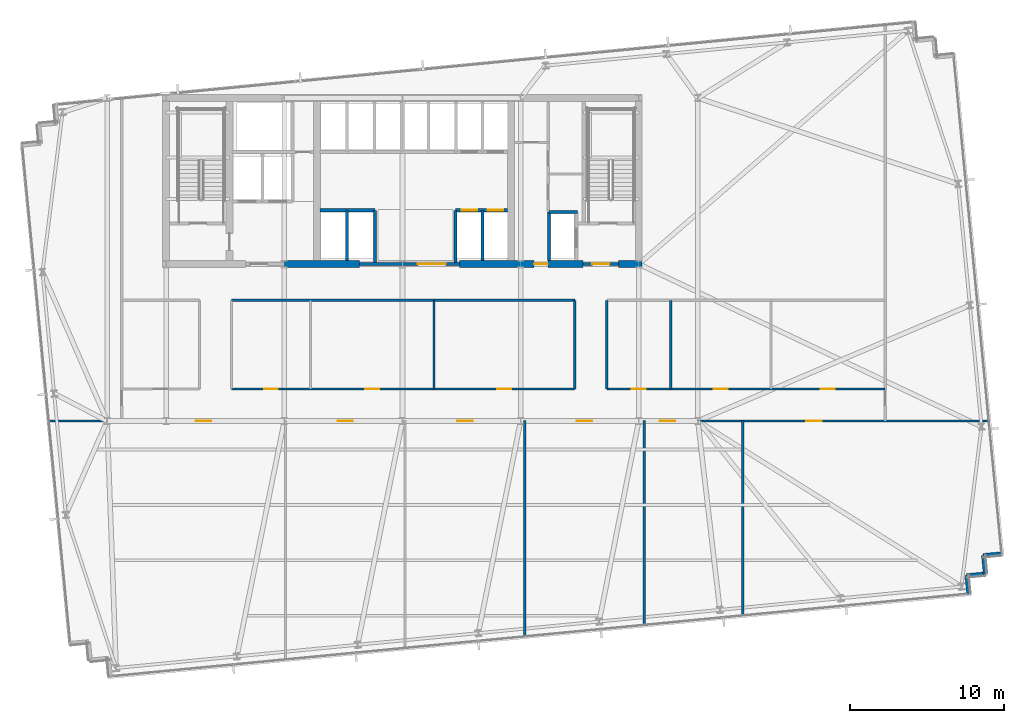
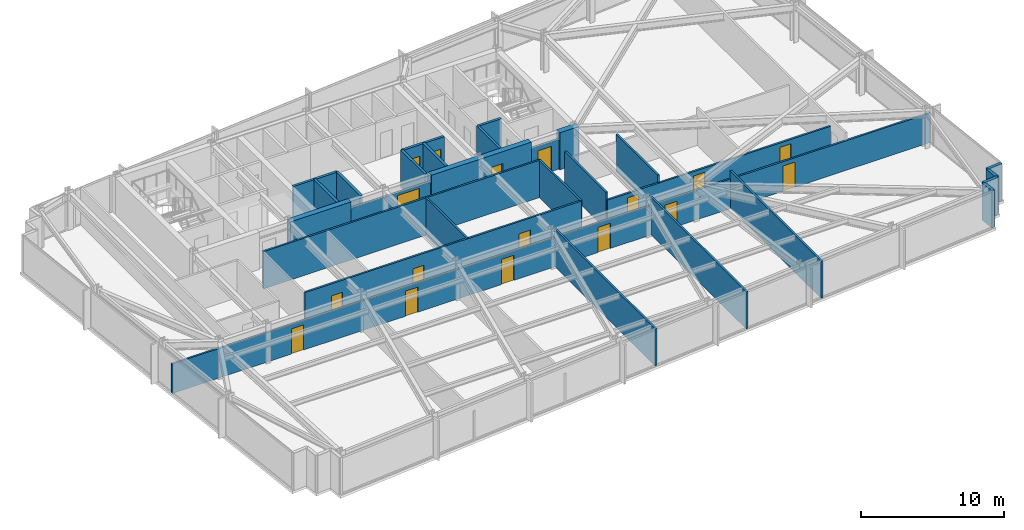
# One storey, part 25 of 32: 28 walls, 17 doors, 17 openings.
"""IFC4 building model written with IfcOpenShell, lengths in metres."""

import ifcopenshell
import ifcopenshell.guid

model = None  # the IFC model being written
_history = None  # IfcOwnerHistory: only IFC2X3 demands one
_inside = {}  # id of a spatial element -> (the spatial element, [elements in it])
_under = {}  # id of a project, library or spatial element -> (it, [spatial elements below it])
_declared = {}  # id of a project -> (the project, [libraries it declares])
_typed = {}  # id of a type object -> (the type object, [elements of that type])
_made_of = {}  # id of a material, layer set ... -> (it, [elements and type objects made of it])


def new_model(schema):
    """Start an empty IFC model of exactly this schema.

    Asked for "IFC4X3", IfcOpenShell would pick the latest addendum, in which some entities
    have other attributes; the version numbers below select the first issue.
    IFC2X3 requires an IfcOwnerHistory on every rooted entity: one is made here for all.
    """
    global model, _history
    if schema == "IFC4X3":
        model = ifcopenshell.file(schema_version=(4, 3, 0, 0))
    else:
        model = ifcopenshell.file(schema=schema)
    _inside.clear()
    _under.clear()
    _declared.clear()
    _typed.clear()
    _made_of.clear()
    _history = None
    if model.schema == "IFC2X3":
        org = make("IfcOrganization", Name="unknown")
        user = make(
            "IfcPersonAndOrganization",
            ThePerson=make("IfcPerson", FamilyName="unknown"),
            TheOrganization=org,
        )
        app = make(
            "IfcApplication",
            ApplicationDeveloper=org,
            Version="unknown",
            ApplicationFullName="unknown",
            ApplicationIdentifier="unknown",
        )
        _history = make(
            "IfcOwnerHistory",
            OwningUser=user,
            OwningApplication=app,
            ChangeAction="ADDED",
            CreationDate=0,
        )
    return model


def make(cls, **values):
    """One entity of the class cls with the attributes given. An attribute that is None is left unset."""
    return model.create_entity(
        cls, **{name: value for name, value in values.items() if value is not None}
    )


def rooted(cls, **values):
    """An entity with a GlobalId (a new one), such as an element, a storey or a relation."""
    return make(cls, GlobalId=ifcopenshell.guid.new(), OwnerHistory=_history, **values)


def si_unit(unit_type, name, prefix=None):
    """IfcSIUnit, for example si_unit("LENGTHUNIT", "METRE", prefix="MILLI")."""
    return make("IfcSIUnit", UnitType=unit_type, Prefix=prefix, Name=name)


def assignment(units):
    """IfcUnitAssignment: the units of a project."""
    return None if units is None else make("IfcUnitAssignment", Units=units)


def point(xyz):
    """IfcCartesianPoint."""
    return None if xyz is None else make("IfcCartesianPoint", Coordinates=xyz)


def direction(xyz):
    """IfcDirection."""
    return None if xyz is None else make("IfcDirection", DirectionRatios=xyz)


def frame(location, z_axis=None, x_axis=None):
    """IfcAxis2Placement3D, a coordinate frame: its origin and axes. An axis left out is left unset."""
    return make(
        "IfcAxis2Placement3D",
        Location=point(location),
        Axis=direction(z_axis),
        RefDirection=direction(x_axis),
    )


def frame_2d(location, x_axis=None):
    """IfcAxis2Placement2D, a coordinate frame in the plane: its origin and x axis."""
    return make(
        "IfcAxis2Placement2D", Location=point(location), RefDirection=direction(x_axis)
    )


def origin():
    """The frame at (0, 0, 0) with its axes left unset."""
    return frame((0.0, 0.0, 0.0))


def place(relative_to, where):
    """IfcLocalPlacement: puts the frame where relative to a parent placement (None: the world)."""
    return make(
        "IfcLocalPlacement", PlacementRelTo=relative_to, RelativePlacement=where
    )


def context(
    kind, dimensions, precision=None, world=None, true_north=None, identifier=None
):
    """IfcGeometricRepresentationContext, for example the 3D "Model" context."""
    return make(
        "IfcGeometricRepresentationContext",
        ContextIdentifier=identifier,
        ContextType=kind,
        CoordinateSpaceDimension=dimensions,
        Precision=precision,
        WorldCoordinateSystem=world,
        TrueNorth=true_north,
    )


def subcontext(parent, identifier, kind, view, scale=None):
    """IfcGeometricRepresentationSubContext, for example "Body" below "Model"."""
    return make(
        "IfcGeometricRepresentationSubContext",
        ContextIdentifier=identifier,
        ContextType=kind,
        ParentContext=parent,
        TargetScale=scale,
        TargetView=view,
    )


def project(units=None, contexts=None):
    """IfcProject with its units and contexts."""
    return rooted(
        "IfcProject",
        Name="project",
        RepresentationContexts=contexts,
        UnitsInContext=assignment(units),
    )


def spatial(cls, under=None, at=None, **own):
    """A site, building, storey or space (cls), placed at a placement, below another one or the project."""
    s = rooted(cls, ObjectPlacement=at, **own)
    if under is not None:
        _under.setdefault(under.id(), (under, []))[1].append(s)
    return s


def profile(cls, at=None, kind="AREA", **sizes):
    """A parametric profile (cls). Its sizes go by their IFC names, for example OverallWidth=200.0."""
    return make(cls, ProfileType=kind, Position=at, **sizes)


def rectangle(**sizes):
    """IfcRectangleProfileDef."""
    return profile("IfcRectangleProfileDef", **sizes)


def extrude(swept, where, along, depth):
    """IfcExtrudedAreaSolid: the profile swept, set in the frame where, extruded along a direction by depth."""
    return make(
        "IfcExtrudedAreaSolid",
        SweptArea=swept,
        Position=where,
        ExtrudedDirection=direction(along),
        Depth=depth,
    )


def shape(context_of_items, identifier, shape_type, items):
    """IfcShapeRepresentation: the items that make up one representation, for example the "Body"."""
    return make(
        "IfcShapeRepresentation",
        ContextOfItems=context_of_items,
        RepresentationIdentifier=identifier,
        RepresentationType=shape_type,
        Items=items,
    )


def material(Name=None, Category=None):
    """IfcMaterial."""
    return make("IfcMaterial", Name=Name, Category=Category)


def layer(
    of_material, thickness, ventilated=None, Name=None, Category=None, Priority=None
):
    """IfcMaterialLayer: one layer of a wall or slab, of a material (None: an air gap)."""
    return make(
        "IfcMaterialLayer",
        Material=of_material,
        LayerThickness=thickness,
        IsVentilated=ventilated,
        Name=Name,
        Category=Category,
        Priority=Priority,
    )


def layer_set(layers, Name=None):
    """IfcMaterialLayerSet."""
    return make("IfcMaterialLayerSet", MaterialLayers=layers, LayerSetName=Name)


def made_of(thing, what):
    """Note that an element or type object is made of a material, layer set ...; save() writes the relation."""
    if what is not None:
        _made_of.setdefault(what.id(), (what, []))[1].append(thing)
    return thing


def type_object(cls, material=None, **own):
    """A type object (cls), such as IfcWallType, which elements share."""
    return made_of(rooted(cls, **own), material)


def element(
    cls,
    number,
    at=None,
    inside=None,
    cuts=None,
    type_object=None,
    material=None,
    context=None,
    identifier="Body",
    shape_type=None,
    held_by="IfcProductDefinitionShape",
    body=None,
    shapes=None,
    **own,
):
    """One element of the class cls, such as IfcWall. Its Tag is "e" and its number.

    at: its placement. inside: the storey or other place that contains it. cuts: it is an
    opening in that element (IfcRelVoidsElement). A single representation is given by context,
    identifier, shape_type and body (its items); several are given by shapes. held_by: the class
    of the entity that holds the representations. save() writes the other relations.
    """
    e = rooted(cls, Tag="e%d" % number, ObjectPlacement=at, **own)
    if body is not None:
        shapes = [shape(context, identifier, shape_type, body)]
    if shapes is not None:
        e.Representation = make(held_by, Representations=shapes)
    if inside is not None:
        _inside.setdefault(inside.id(), (inside, []))[1].append(e)
    if cuts is not None:
        rooted(
            "IfcRelVoidsElement", RelatingBuildingElement=cuts, RelatedOpeningElement=e
        )
    if type_object is not None:
        _typed.setdefault(type_object.id(), (type_object, []))[1].append(e)
    return made_of(e, material)


def fill(opening, filler):
    """IfcRelFillsElement: the door or window that sits in an opening."""
    return rooted(
        "IfcRelFillsElement",
        RelatingOpeningElement=opening,
        RelatedBuildingElement=filler,
    )


def aggregate(whole, parts):
    """IfcRelAggregates: a whole, such as a stair, and the parts it consists of."""
    return rooted("IfcRelAggregates", RelatingObject=whole, RelatedObjects=parts)


def save(model, path):
    """Write the relations noted so far, then the file.

    IfcRelAggregates (storeys below a building ...), IfcRelContainedInSpatialStructure (elements
    in a storey), IfcRelDefinesByType, IfcRelAssociatesMaterial and IfcRelDeclares: one each for
    every whole, place, type object, material and project.
    """
    for whole, parts in _under.values():
        aggregate(whole, parts)
    for where, things in _inside.values():
        rooted(
            "IfcRelContainedInSpatialStructure",
            RelatedElements=things,
            RelatingStructure=where,
        )
    for kind, things in _typed.values():
        rooted("IfcRelDefinesByType", RelatedObjects=things, RelatingType=kind)
    for what, things in _made_of.values():
        rooted("IfcRelAssociatesMaterial", RelatedObjects=things, RelatingMaterial=what)
    for by, libraries in _declared.values():
        rooted("IfcRelDeclares", RelatingContext=by, RelatedDefinitions=libraries)
    model.write(path)


model = new_model("IFC4")

# Units and contexts
model_context = context("Model", 3, precision=1e-05, world=origin(), true_north=direction((0.0, 1.0)))
body_context = subcontext(model_context, "Body", "Model", "MODEL_VIEW")
ifc_project = project(units=[si_unit("LENGTHUNIT", "METRE"), si_unit("AREAUNIT", "SQUARE_METRE"), si_unit("VOLUMEUNIT", "CUBIC_METRE"), si_unit("PLANEANGLEUNIT", "RADIAN"), si_unit("MASSUNIT", "GRAM", prefix="KILO")], contexts=[model_context])

# Site, building, storey
site_placement = place(None, origin())
site = spatial("IfcSite", under=ifc_project, at=site_placement, CompositionType="ELEMENT")
building_placement = place(site_placement, origin())
building = spatial("IfcBuilding", under=site, at=building_placement, Name="Yelkora Congress Tower", CompositionType="ELEMENT")
storey_placement = place(building_placement, frame((0.0, 0.0, 93.10009765625)))
storey = spatial("IfcBuildingStorey", under=building, at=storey_placement, Name="L24", CompositionType="ELEMENT", Elevation=93.10009765625)

# Wall
ifc_material_1 = material(Name="Concrete C60/75", Category="concrete")
ifc_layer_1 = layer(ifc_material_1, 0.449951171875)
ifc_layer_set_1 = layer_set([ifc_layer_1], Name="Concrete C60/75")
wall_type_1 = type_object("IfcWallType", Name="WALL-CORE-INT-450", PredefinedType="SHEAR", material=ifc_layer_set_1)
wall_1_placement = place(storey_placement, frame((30.719970703125, 35.39990234375, 0.0), z_axis=(0.0, 0.0, 1.0), x_axis=(1.0, 0.0, 0.0)))
element("IfcWall", 1, at=wall_1_placement, inside=storey, type_object=wall_type_1, Name="L24 Rear Core South-Center Shear Pier", PredefinedType="SHEAR", context=body_context, shape_type="SweptSolid", body=[
    extrude(rectangle(XDim=4.880126953125, YDim=0.449951171875, at=frame_2d((2.43994140625, 0.0))), origin(), (0.0, 0.0, 1.0), 3.179931640625),
])

# Wall, opening, door
wall_2_placement = place(storey_placement, frame((42.10009765625, 35.39990234375, 0.0), z_axis=(0.0, 0.0, 1.0), x_axis=(1.0, 0.0, 0.0)))
wall_2 = element("IfcWall", 2, at=wall_2_placement, inside=storey, type_object=wall_type_1, Name="L24 Rear Core South-East Shear Wall A", PredefinedType="SHEAR", context=body_context, shape_type="SweptSolid", body=[
    extrude(rectangle(XDim=8.0498046875, YDim=0.449951171875, at=frame_2d((4.02490234375, 0.0))), origin(), (0.0, 0.0, 1.0), 3.179931640625),
])
opening_1_placement = place(wall_2_placement, frame((4.85009765625, 0.0, 0.0)))
opening_1 = element("IfcOpeningElement", 3, at=opening_1_placement, cuts=wall_2, Name="Opening DR-090F6", PredefinedType="OPENING", context=body_context, shape_type="SweptSolid", body=[
    extrude(rectangle(XDim=0.89990234375, YDim=2.14990234375, at=frame_2d((0.449951171875, 1.074951171875))), frame((0.0, 0.23486328125, 0.0), z_axis=(0.0, -1.0, 0.0), x_axis=(1.0, 0.0, 0.0)), (0.0, 0.0, 1.0), 0.469970703125),
])
ifc_material_2 = material(Name="Painted steel riser fire door leaf", Category="steel")
door_type_1 = type_object("IfcDoorType", Name="DOOR-FD60-900", OperationType="NOTDEFINED", PredefinedType="DOOR", material=ifc_material_2)
door_1_placement = place(opening_1_placement, origin())
door_1 = element("IfcDoor", 4, at=door_1_placement, inside=storey, type_object=door_type_1, Name="L24 Core Washroom Lobby Door", OperationType="SINGLE_SWING_RIGHT", OverallHeight=2.14990234375, OverallWidth=0.89990234375, PredefinedType="DOOR", context=body_context, shape_type="SweptSolid", body=[
    extrude(rectangle(XDim=0.89990234375, YDim=2.14990234375, at=frame_2d((0.449951171875, 1.074951171875))), frame((0.0, 0.02490234375, 0.0), z_axis=(0.0, -1.0, 0.0), x_axis=(1.0, 0.0, 0.0)), (0.0, 0.0, 1.0), 0.050048828125),
])
fill(opening_1, door_1)

# Walls
wall_3_placement = place(storey_placement, frame((52.449951171875, 35.39990234375, 0.0), z_axis=(0.0, 0.0, 1.0), x_axis=(1.0, 0.0, 0.0)))
element("IfcWall", 5, at=wall_3_placement, inside=storey, type_object=wall_type_1, Name="L24 Rear Core South-East Shear Wall B", PredefinedType="SHEAR", context=body_context, shape_type="SweptSolid", body=[
    extrude(rectangle(XDim=1.53515625, YDim=0.449951171875, at=frame_2d((0.767578125, 0.0))), origin(), (0.0, 0.0, 1.0), 3.179931640625),
])
ifc_material_3 = material(Name="Concrete C40/50", Category="concrete")
ifc_layer_2 = layer(ifc_material_3, 0.239990234375)
ifc_layer_set_2 = layer_set([ifc_layer_2], Name="Concrete C40/50")
wall_type_2 = type_object("IfcWallType", Name="WALL-EXT-LIMESTONE-240", PredefinedType="SOLIDWALL", material=ifc_layer_set_2)
wall_4_placement = place(storey_placement, frame((77.34765625, 16.585693359375, 0.0), z_axis=(0.0, 0.0, 1.0), x_axis=(-0.995397091755, -0.095836473879, 0.0)))
element("IfcWall", 6, at=wall_4_placement, inside=storey, type_object=wall_type_2, Name="L24 Serrated Corner Limestone Pier 16", PredefinedType="SOLIDWALL", context=body_context, shape_type="SweptSolid", body=[
    extrude(rectangle(XDim=1.199951171875, YDim=0.239990234375, at=frame_2d((0.60009765625, 0.0))), origin(), (0.0, 0.0, 1.0), 3.179931640625),
])
for number, where, z_axis, x_axis, name in (
    (7, (76.1533203125, 16.470703125, 0.0), (0.0, 0.0, 1.0), (0.095817067274, -0.995398960025, 0.0), "L24 Serrated Corner Limestone Pier 17"),
    (8, (76.268310546875, 15.276123046875, 0.0), (0.0, 0.0, 1.0), (-0.995398960025, -0.095817067274, 0.0), "L24 Serrated Corner Limestone Pier 18"),
):
    element("IfcWall", number, at=place(storey_placement, frame(where, z_axis=z_axis, x_axis=x_axis)), inside=storey, type_object=wall_type_2, Name=name, PredefinedType="SOLIDWALL", context=body_context, shape_type="SweptSolid", body=[
        extrude(rectangle(XDim=1.2001953125, YDim=0.239990234375, at=frame_2d((0.60009765625, 0.0))), origin(), (0.0, 0.0, 1.0), 3.179931640625),
    ])
wall_5_placement = place(storey_placement, frame((75.07373046875, 15.1611328125, 0.0), z_axis=(0.0, 0.0, 1.0), x_axis=(0.095836473879, -0.995397091755, 0.0)))
element("IfcWall", 9, at=wall_5_placement, inside=storey, type_object=wall_type_2, Name="L24 Serrated Corner Limestone Pier 19", PredefinedType="SOLIDWALL", context=body_context, shape_type="SweptSolid", body=[
    extrude(rectangle(XDim=1.199951171875, YDim=0.239990234375, at=frame_2d((0.60009765625, 0.0))), origin(), (0.0, 0.0, 1.0), 3.179931640625),
])
ifc_material_4 = material(Name="Acoustic metal-stud gypsum partition", Category="gypsum")
ifc_layer_3 = layer(ifc_material_4, 0.14990234375)
ifc_layer_set_3 = layer_set([ifc_layer_3], Name="Acoustic metal-stud gypsum partition")
wall_type_3 = type_object("IfcWallType", Name="WALL-INT-150-NR", PredefinedType="PARTITIONING", material=ifc_layer_set_3)
wall_6_placement = place(storey_placement, frame((46.340087890625, 11.128662109375, 0.0), z_axis=(0.0, 0.0, 1.0), x_axis=(0.0, 1.0, 0.0)))
element("IfcWall", 10, at=wall_6_placement, inside=storey, type_object=wall_type_3, Name="L24 Partition Wall 33", PredefinedType="PARTITIONING", context=body_context, shape_type="SweptSolid", body=[
    extrude(rectangle(XDim=14.09130859375, YDim=0.14990234375, at=frame_2d((7.045654296875, 0.0))), origin(), (0.0, 0.0, 1.0), 3.179931640625),
])
wall_7_placement = place(storey_placement, frame((54.112060546875, 11.876953125, 0.0), z_axis=(0.0, 0.0, 1.0), x_axis=(0.0, 1.0, 0.0)))
element("IfcWall", 11, at=wall_7_placement, inside=storey, type_object=wall_type_3, Name="L24 Partition Wall 34", PredefinedType="PARTITIONING", context=body_context, shape_type="SweptSolid", body=[
    extrude(rectangle(XDim=13.343017578125, YDim=0.14990234375, at=frame_2d((6.67138671875, 0.0))), origin(), (0.0, 0.0, 1.0), 3.179931640625),
])
wall_8_placement = place(storey_placement, frame((60.512939453125, 12.493408203125, 0.0), z_axis=(0.0, 0.0, 1.0), x_axis=(0.0, 1.0, 0.0)))
element("IfcWall", 12, at=wall_8_placement, inside=storey, type_object=wall_type_3, Name="L24 Partition Wall 35", PredefinedType="PARTITIONING", context=body_context, shape_type="SweptSolid", body=[
    extrude(rectangle(XDim=12.7265625, YDim=0.14990234375, at=frame_2d((6.36328125, 0.0))), origin(), (0.0, 0.0, 1.0), 3.179931640625),
])

# Wall, openings, doors
wall_9_placement = place(storey_placement, frame((15.356689453125, 25.199951171875, 0.0), z_axis=(0.0, 0.0, 1.0), x_axis=(1.0, 0.0, 0.0)))
wall_9 = element("IfcWall", 13, at=wall_9_placement, inside=storey, type_object=wall_type_3, Name="L24 South Spine Wall", PredefinedType="PARTITIONING", context=body_context, shape_type="SweptSolid", body=[
    extrude(rectangle(XDim=61.221923828125, YDim=0.14990234375, at=frame_2d((30.61083984375, 0.0))), origin(), (0.0, 0.0, 1.0), 2.52490234375),
])
opening_2_placement = place(wall_9_placement, frame((9.618896484375, 0.0, 0.0)))
opening_2 = element("IfcOpeningElement", 14, at=opening_2_placement, cuts=wall_9, Name="Opening DR-100N", PredefinedType="OPENING", context=body_context, shape_type="SweptSolid", body=[
    extrude(rectangle(XDim=1.0, YDim=2.14990234375, at=frame_2d((0.5, 1.074951171875))), frame((0.0, 0.0849609375, 0.0), z_axis=(0.0, -1.0, 0.0), x_axis=(1.0, 0.0, 0.0)), (0.0, 0.0, 1.0), 0.169921875),
])
opening_3_placement = place(wall_9_placement, frame((18.82373046875, 0.0, 0.0)))
opening_3 = element("IfcOpeningElement", 15, at=opening_3_placement, cuts=wall_9, Name="Opening DR-100N", PredefinedType="OPENING", context=body_context, shape_type="SweptSolid", body=[
    extrude(rectangle(XDim=1.0, YDim=2.14990234375, at=frame_2d((0.5, 1.074951171875))), frame((0.0, 0.0849609375, 0.0), z_axis=(0.0, -1.0, 0.0), x_axis=(1.0, 0.0, 0.0)), (0.0, 0.0, 1.0), 0.169921875),
])
opening_4_placement = place(wall_9_placement, frame((26.5966796875, 0.0, 0.0)))
opening_4 = element("IfcOpeningElement", 16, at=opening_4_placement, cuts=wall_9, Name="Opening DR-100N", PredefinedType="OPENING", context=body_context, shape_type="SweptSolid", body=[
    extrude(rectangle(XDim=1.0, YDim=2.14990234375, at=frame_2d((0.5, 1.074951171875))), frame((0.0, 0.0849609375, 0.0), z_axis=(0.0, -1.0, 0.0), x_axis=(1.0, 0.0, 0.0)), (0.0, 0.0, 1.0), 0.169921875),
])
opening_5_placement = place(wall_9_placement, frame((34.369384765625, 0.0, 0.0)))
opening_5 = element("IfcOpeningElement", 17, at=opening_5_placement, cuts=wall_9, Name="Opening DR-100N", PredefinedType="OPENING", context=body_context, shape_type="SweptSolid", body=[
    extrude(rectangle(XDim=1.0, YDim=2.14990234375, at=frame_2d((0.5, 1.074951171875))), frame((0.0, 0.0849609375, 0.0), z_axis=(0.0, -1.0, 0.0), x_axis=(1.0, 0.0, 0.0)), (0.0, 0.0, 1.0), 0.169921875),
])
opening_6_placement = place(wall_9_placement, frame((39.767822265625, 0.0, 0.0)))
opening_6 = element("IfcOpeningElement", 18, at=opening_6_placement, cuts=wall_9, Name="Opening DR-100N", PredefinedType="OPENING", context=body_context, shape_type="SweptSolid", body=[
    extrude(rectangle(XDim=1.0, YDim=2.14990234375, at=frame_2d((0.5, 1.074951171875))), frame((0.0, 0.0849609375, 0.0), z_axis=(0.0, -1.0, 0.0), x_axis=(1.0, 0.0, 0.0)), (0.0, 0.0, 1.0), 0.169921875),
])
opening_7_placement = place(wall_9_placement, frame((49.289306640625, 0.0, 0.0)))
opening_7 = element("IfcOpeningElement", 19, at=opening_7_placement, cuts=wall_9, Name="Opening DR-100N", PredefinedType="OPENING", context=body_context, shape_type="SweptSolid", body=[
    extrude(rectangle(XDim=1.0, YDim=2.14990234375, at=frame_2d((0.5, 1.074951171875))), frame((0.0, 0.0849609375, 0.0), z_axis=(0.0, -1.0, 0.0), x_axis=(1.0, 0.0, 0.0)), (0.0, 0.0, 1.0), 0.169921875),
])
ifc_material_5 = material(Name="Solid-core Anatolian oak veneer door", Category="wood")
door_type_2 = type_object("IfcDoorType", Name="DOOR-INT-1000", OperationType="NOTDEFINED", PredefinedType="DOOR", material=ifc_material_5)
door_2_placement = place(opening_2_placement, origin())
door_2 = element("IfcDoor", 20, at=door_2_placement, inside=storey, type_object=door_type_2, Name="L24 Open-Plan Office Door", OperationType="SINGLE_SWING_LEFT", OverallHeight=2.14990234375, OverallWidth=1.0, PredefinedType="DOOR", context=body_context, shape_type="SweptSolid", body=[
    extrude(rectangle(XDim=1.0, YDim=2.14990234375, at=frame_2d((0.5, 1.074951171875))), frame((0.0, 0.02490234375, 0.0), z_axis=(0.0, -1.0, 0.0), x_axis=(1.0, 0.0, 0.0)), (0.0, 0.0, 1.0), 0.050048828125),
])
fill(opening_2, door_2)
door_3_placement = place(opening_3_placement, origin())
door_3 = element("IfcDoor", 21, at=door_3_placement, inside=storey, type_object=door_type_2, Name="L24 Executive Office Door", OperationType="SINGLE_SWING_RIGHT", OverallHeight=2.14990234375, OverallWidth=1.0, PredefinedType="DOOR", context=body_context, shape_type="SweptSolid", body=[
    extrude(rectangle(XDim=1.0, YDim=2.14990234375, at=frame_2d((0.5, 1.074951171875))), frame((0.0, 0.02490234375, 0.0), z_axis=(0.0, -1.0, 0.0), x_axis=(1.0, 0.0, 0.0)), (0.0, 0.0, 1.0), 0.050048828125),
])
fill(opening_3, door_3)
door_4_placement = place(opening_4_placement, origin())
door_4 = element("IfcDoor", 22, at=door_4_placement, inside=storey, type_object=door_type_2, Name="L24 Open-Plan Office Door", OperationType="SINGLE_SWING_LEFT", OverallHeight=2.14990234375, OverallWidth=1.0, PredefinedType="DOOR", context=body_context, shape_type="SweptSolid", body=[
    extrude(rectangle(XDim=1.0, YDim=2.14990234375, at=frame_2d((0.5, 1.074951171875))), frame((0.0, 0.02490234375, 0.0), z_axis=(0.0, -1.0, 0.0), x_axis=(1.0, 0.0, 0.0)), (0.0, 0.0, 1.0), 0.050048828125),
])
fill(opening_4, door_4)
door_5_placement = place(opening_5_placement, origin())
door_5 = element("IfcDoor", 23, at=door_5_placement, inside=storey, type_object=door_type_2, Name="L24 Executive Office Door", OperationType="SINGLE_SWING_RIGHT", OverallHeight=2.14990234375, OverallWidth=1.0, PredefinedType="DOOR", context=body_context, shape_type="SweptSolid", body=[
    extrude(rectangle(XDim=1.0, YDim=2.14990234375, at=frame_2d((0.5, 1.074951171875))), frame((0.0, 0.02490234375, 0.0), z_axis=(0.0, -1.0, 0.0), x_axis=(1.0, 0.0, 0.0)), (0.0, 0.0, 1.0), 0.050048828125),
])
fill(opening_5, door_5)
door_6_placement = place(opening_6_placement, origin())
door_6 = element("IfcDoor", 24, at=door_6_placement, inside=storey, type_object=door_type_2, Name="L24 Conference Boardroom Door", OperationType="SINGLE_SWING_LEFT", OverallHeight=2.14990234375, OverallWidth=1.0, PredefinedType="DOOR", context=body_context, shape_type="SweptSolid", body=[
    extrude(rectangle(XDim=1.0, YDim=2.14990234375, at=frame_2d((0.5, 1.074951171875))), frame((0.0, 0.02490234375, 0.0), z_axis=(0.0, -1.0, 0.0), x_axis=(1.0, 0.0, 0.0)), (0.0, 0.0, 1.0), 0.050048828125),
])
fill(opening_6, door_6)
door_7_placement = place(opening_7_placement, origin())
door_7 = element("IfcDoor", 25, at=door_7_placement, inside=storey, type_object=door_type_2, Name="L24 Breakout Living Lounge Door", OperationType="SINGLE_SWING_RIGHT", OverallHeight=2.14990234375, OverallWidth=1.0, PredefinedType="DOOR", context=body_context, shape_type="SweptSolid", body=[
    extrude(rectangle(XDim=1.0, YDim=2.14990234375, at=frame_2d((0.5, 1.074951171875))), frame((0.0, 0.02490234375, 0.0), z_axis=(0.0, -1.0, 0.0), x_axis=(1.0, 0.0, 0.0)), (0.0, 0.0, 1.0), 0.050048828125),
])
fill(opening_7, door_7)

# Walls
for number, where, z_axis, x_axis, name in (
    (26, (49.60009765625, 27.280029296875, 0.0), (0.0, 0.0, 1.0), (0.0, 1.0, 0.0), "L24 Partition Wall 41"),
    (27, (51.679931640625, 27.280029296875, 0.0), (0.0, 0.0, 1.0), (0.0, 1.0, 0.0), "L24 Partition Wall 42"),
):
    element("IfcWall", number, at=place(storey_placement, frame(where, z_axis=z_axis, x_axis=x_axis)), inside=storey, type_object=wall_type_3, Name=name, PredefinedType="PARTITIONING", context=body_context, shape_type="SweptSolid", body=[
        extrude(rectangle(XDim=5.77001953125, YDim=0.14990234375, at=frame_2d((2.885009765625, 0.0))), origin(), (0.0, 0.0, 1.0), 3.179931640625),
    ])
wall_10_placement = place(storey_placement, frame((27.280029296875, 33.050048828125, 0.0), z_axis=(0.0, 0.0, 1.0), x_axis=(1.0, 0.0, 0.0)))
element("IfcWall", 28, at=wall_10_placement, inside=storey, type_object=wall_type_3, Name="L24 Partition Wall 44", PredefinedType="PARTITIONING", context=body_context, shape_type="SweptSolid", body=[
    extrude(rectangle(XDim=22.320068359375, YDim=0.14990234375, at=frame_2d((11.16015625, 0.0))), origin(), (0.0, 0.0, 1.0), 3.179931640625),
])
wall_11_placement = place(storey_placement, frame((40.447021484375, 27.280029296875, 0.0), z_axis=(0.0, 0.0, 1.0), x_axis=(0.0, 1.0, 0.0)))
element("IfcWall", 29, at=wall_11_placement, inside=storey, type_object=wall_type_3, Name="L24 Partition Wall 48", PredefinedType="PARTITIONING", context=body_context, shape_type="SweptSolid", body=[
    extrude(rectangle(XDim=5.77001953125, YDim=0.14990234375, at=frame_2d((2.885009765625, 0.0))), origin(), (0.0, 0.0, 1.0), 3.179931640625),
])

# Wall, openings, doors
wall_12_placement = place(storey_placement, frame((27.2900390625, 27.280029296875, 0.0), z_axis=(0.0, 0.0, 1.0), x_axis=(1.0, 0.0, 0.0)))
wall_12 = element("IfcWall", 30, at=wall_12_placement, inside=storey, type_object=wall_type_3, Name="L24 Partition Wall 49", PredefinedType="PARTITIONING", context=body_context, shape_type="SweptSolid", body=[
    extrude(rectangle(XDim=22.300048828125, YDim=0.14990234375, at=frame_2d((11.14990234375, 0.0))), origin(), (0.0, 0.0, 1.0), 3.179931640625),
])
opening_8_placement = place(wall_12_placement, frame((2.114501953125, 0.0, 0.0)))
opening_8 = element("IfcOpeningElement", 31, at=opening_8_placement, cuts=wall_12, Name="Opening DR-090N", PredefinedType="OPENING", context=body_context, shape_type="SweptSolid", body=[
    extrude(rectangle(XDim=0.89990234375, YDim=2.14990234375, at=frame_2d((0.449951171875, 1.074951171875))), frame((0.0, 0.0849609375, 0.0), z_axis=(0.0, -1.0, 0.0), x_axis=(1.0, 0.0, 0.0)), (0.0, 0.0, 1.0), 0.169921875),
])
opening_9_placement = place(wall_12_placement, frame((8.693115234375, 0.0, 0.0)))
opening_9 = element("IfcOpeningElement", 32, at=opening_9_placement, cuts=wall_12, Name="Opening DR-090N", PredefinedType="OPENING", context=body_context, shape_type="SweptSolid", body=[
    extrude(rectangle(XDim=0.89990234375, YDim=2.14990234375, at=frame_2d((0.449951171875, 1.074951171875))), frame((0.0, 0.0849609375, 0.0), z_axis=(0.0, -1.0, 0.0), x_axis=(1.0, 0.0, 0.0)), (0.0, 0.0, 1.0), 0.169921875),
])
opening_10_placement = place(wall_12_placement, frame((17.278564453125, 0.0, 0.0)))
opening_10 = element("IfcOpeningElement", 33, at=opening_10_placement, cuts=wall_12, Name="Opening DR-090N", PredefinedType="OPENING", context=body_context, shape_type="SweptSolid", body=[
    extrude(rectangle(XDim=0.89990234375, YDim=2.14990234375, at=frame_2d((0.449951171875, 1.074951171875))), frame((0.0, 0.0849609375, 0.0), z_axis=(0.0, -1.0, 0.0), x_axis=(1.0, 0.0, 0.0)), (0.0, 0.0, 1.0), 0.169921875),
])
ifc_material_6 = material(Name="Moisture-resistant laminate door leaf", Category="wood")
door_type_3 = type_object("IfcDoorType", Name="DOOR-INT-900", OperationType="NOTDEFINED", PredefinedType="DOOR", material=ifc_material_6)
door_8_placement = place(opening_8_placement, origin())
door_8 = element("IfcDoor", 34, at=door_8_placement, inside=storey, type_object=door_type_3, Name="L24 Huddle Seminar Room Door", OperationType="SINGLE_SWING_RIGHT", OverallHeight=2.14990234375, OverallWidth=0.89990234375, PredefinedType="DOOR", context=body_context, shape_type="SweptSolid", body=[
    extrude(rectangle(XDim=0.89990234375, YDim=2.14990234375, at=frame_2d((0.449951171875, 1.074951171875))), frame((0.0, 0.02490234375, 0.0), z_axis=(0.0, -1.0, 0.0), x_axis=(1.0, 0.0, 0.0)), (0.0, 0.0, 1.0), 0.050048828125),
])
fill(opening_8, door_8)
door_9_placement = place(opening_9_placement, origin())
door_9 = element("IfcDoor", 35, at=door_9_placement, inside=storey, type_object=door_type_3, Name="L24 Breakout Training Room Door", OperationType="SINGLE_SWING_LEFT", OverallHeight=2.14990234375, OverallWidth=0.89990234375, PredefinedType="DOOR", context=body_context, shape_type="SweptSolid", body=[
    extrude(rectangle(XDim=0.89990234375, YDim=2.14990234375, at=frame_2d((0.449951171875, 1.074951171875))), frame((0.0, 0.02490234375, 0.0), z_axis=(0.0, -1.0, 0.0), x_axis=(1.0, 0.0, 0.0)), (0.0, 0.0, 1.0), 0.050048828125),
])
fill(opening_9, door_9)
door_10_placement = place(opening_10_placement, origin())
door_10 = element("IfcDoor", 36, at=door_10_placement, inside=storey, type_object=door_type_3, Name="L24 Executive Boardroom Door", OperationType="SINGLE_SWING_RIGHT", OverallHeight=2.14990234375, OverallWidth=0.89990234375, PredefinedType="DOOR", context=body_context, shape_type="SweptSolid", body=[
    extrude(rectangle(XDim=0.89990234375, YDim=2.14990234375, at=frame_2d((0.449951171875, 1.074951171875))), frame((0.0, 0.02490234375, 0.0), z_axis=(0.0, -1.0, 0.0), x_axis=(1.0, 0.0, 0.0)), (0.0, 0.0, 1.0), 0.050048828125),
])
fill(opening_10, door_10)

# Wall
wall_13_placement = place(storey_placement, frame((55.845947265625, 27.280029296875, 0.0), z_axis=(0.0, 0.0, 1.0), x_axis=(0.0, 1.0, 0.0)))
element("IfcWall", 37, at=wall_13_placement, inside=storey, type_object=wall_type_3, Name="L24 Partition Wall 50", PredefinedType="PARTITIONING", context=body_context, shape_type="SweptSolid", body=[
    extrude(rectangle(XDim=5.77001953125, YDim=0.14990234375, at=frame_2d((2.885009765625, 0.0))), origin(), (0.0, 0.0, 1.0), 3.179931640625),
])

# Wall, openings, doors
wall_14_placement = place(storey_placement, frame((51.68994140625, 27.280029296875, 0.0), z_axis=(0.0, 0.0, 1.0), x_axis=(1.0, 0.0, 0.0)))
wall_14 = element("IfcWall", 38, at=wall_14_placement, inside=storey, type_object=wall_type_3, Name="L24 Partition Wall 52", PredefinedType="PARTITIONING", context=body_context, shape_type="SweptSolid", body=[
    extrude(rectangle(XDim=18.069091796875, YDim=0.14990234375, at=frame_2d((9.03466796875, 0.0))), origin(), (0.0, 0.0, 1.0), 2.52490234375),
])
opening_11_placement = place(wall_14_placement, frame((1.6279296875, 0.0, 0.0)))
opening_11 = element("IfcOpeningElement", 39, at=opening_11_placement, cuts=wall_14, Name="Opening DR-090N", PredefinedType="OPENING", context=body_context, shape_type="SweptSolid", body=[
    extrude(rectangle(XDim=0.89990234375, YDim=2.14990234375, at=frame_2d((0.449951171875, 1.074951171875))), frame((0.0, 0.0849609375, 0.0), z_axis=(0.0, -1.0, 0.0), x_axis=(1.0, 0.0, 0.0)), (0.0, 0.0, 1.0), 0.169921875),
])
opening_12_placement = place(wall_14_placement, frame((6.95849609375, 0.0, 0.0)))
opening_12 = element("IfcOpeningElement", 40, at=opening_12_placement, cuts=wall_14, Name="Opening DR-090N", PredefinedType="OPENING", context=body_context, shape_type="SweptSolid", body=[
    extrude(rectangle(XDim=0.89990234375, YDim=2.14990234375, at=frame_2d((0.449951171875, 1.074951171875))), frame((0.0, 0.0849609375, 0.0), z_axis=(0.0, -1.0, 0.0), x_axis=(1.0, 0.0, 0.0)), (0.0, 0.0, 1.0), 0.169921875),
])
opening_13_placement = place(wall_14_placement, frame((13.9150390625, 0.0, 0.0)))
opening_13 = element("IfcOpeningElement", 41, at=opening_13_placement, cuts=wall_14, Name="Opening DR-090N", PredefinedType="OPENING", context=body_context, shape_type="SweptSolid", body=[
    extrude(rectangle(XDim=0.89990234375, YDim=2.14990234375, at=frame_2d((0.449951171875, 1.074951171875))), frame((0.0, 0.0849609375, 0.0), z_axis=(0.0, -1.0, 0.0), x_axis=(1.0, 0.0, 0.0)), (0.0, 0.0, 1.0), 0.169921875),
])
door_11_placement = place(opening_11_placement, origin())
door_11 = element("IfcDoor", 42, at=door_11_placement, inside=storey, type_object=door_type_3, Name="L24 Breakout Training Room Door", OperationType="SINGLE_SWING_LEFT", OverallHeight=2.14990234375, OverallWidth=0.89990234375, PredefinedType="DOOR", context=body_context, shape_type="SweptSolid", body=[
    extrude(rectangle(XDim=0.89990234375, YDim=2.14990234375, at=frame_2d((0.449951171875, 1.074951171875))), frame((0.0, 0.02490234375, 0.0), z_axis=(0.0, -1.0, 0.0), x_axis=(1.0, 0.0, 0.0)), (0.0, 0.0, 1.0), 0.050048828125),
])
fill(opening_11, door_11)
door_12_placement = place(opening_12_placement, origin())
door_12 = element("IfcDoor", 43, at=door_12_placement, inside=storey, type_object=door_type_3, Name="L24 Executive Boardroom Door", OperationType="SINGLE_SWING_RIGHT", OverallHeight=2.14990234375, OverallWidth=0.89990234375, PredefinedType="DOOR", context=body_context, shape_type="SweptSolid", body=[
    extrude(rectangle(XDim=0.89990234375, YDim=2.14990234375, at=frame_2d((0.449951171875, 1.074951171875))), frame((0.0, 0.02490234375, 0.0), z_axis=(0.0, -1.0, 0.0), x_axis=(1.0, 0.0, 0.0)), (0.0, 0.0, 1.0), 0.050048828125),
])
fill(opening_12, door_12)
door_13_placement = place(opening_13_placement, origin())
door_13 = element("IfcDoor", 44, at=door_13_placement, inside=storey, type_object=door_type_3, Name="L24 Huddle Seminar Room Door", OperationType="SINGLE_SWING_LEFT", OverallHeight=2.14990234375, OverallWidth=0.89990234375, PredefinedType="DOOR", context=body_context, shape_type="SweptSolid", body=[
    extrude(rectangle(XDim=0.89990234375, YDim=2.14990234375, at=frame_2d((0.449951171875, 1.074951171875))), frame((0.0, 0.02490234375, 0.0), z_axis=(0.0, -1.0, 0.0), x_axis=(1.0, 0.0, 0.0)), (0.0, 0.0, 1.0), 0.050048828125),
])
fill(opening_13, door_13)

# Wall, opening, door
ifc_material_7 = material(Name="Autoclaved aerated concrete blockwork", Category="masonry")
ifc_layer_4 = layer(ifc_material_7, 0.199951171875)
ifc_layer_set_4 = layer_set([ifc_layer_4], Name="Autoclaved aerated concrete blockwork")
wall_type_4 = type_object("IfcWallType", Name="WALL-INT-200-R120", PredefinedType="PARTITIONING", material=ifc_layer_set_4)
wall_15_placement = place(storey_placement, frame((35.60009765625, 35.39990234375, 0.0), z_axis=(0.0, 0.0, 1.0), x_axis=(1.0, 0.0, 0.0)))
wall_15 = element("IfcWall", 45, at=wall_15_placement, inside=storey, type_object=wall_type_4, Name="L24 Main Lift Lobby South Portal Wall", PredefinedType="PARTITIONING", context=body_context, shape_type="SweptSolid", body=[
    extrude(rectangle(XDim=6.5, YDim=0.199951171875, at=frame_2d((3.25, 0.0))), origin(), (0.0, 0.0, 1.0), 2.52490234375),
])
opening_14_placement = place(wall_15_placement, frame((3.800048828125, 0.0, 0.0)))
opening_14 = element("IfcOpeningElement", 46, at=opening_14_placement, cuts=wall_15, Name="Opening DR-180D", PredefinedType="OPENING", context=body_context, shape_type="SweptSolid", body=[
    extrude(rectangle(XDim=1.800048828125, YDim=2.300048828125, at=frame_2d((0.89990234375, 1.14990234375))), frame((0.0, 0.10986328125, 0.0), z_axis=(0.0, -1.0, 0.0), x_axis=(1.0, 0.0, 0.0)), (0.0, 0.0, 1.0), 0.219970703125),
])
ifc_material_8 = material(Name="Acoustic double congress hall doors", Category="wood")
door_type_4 = type_object("IfcDoorType", Name="DOOR-DBL-1800", OperationType="DOUBLE_DOOR_SINGLE_SWING", PredefinedType="DOOR", material=ifc_material_8)
door_14_placement = place(opening_14_placement, origin())
door_14 = element("IfcDoor", 47, at=door_14_placement, inside=storey, type_object=door_type_4, Name="L24 Main Lift Lobby Portal Door", OperationType="DOUBLE_DOOR_SINGLE_SWING", OverallHeight=2.300048828125, OverallWidth=1.800048828125, PredefinedType="DOOR", context=body_context, shape_type="SweptSolid", body=[
    extrude(rectangle(XDim=1.800048828125, YDim=2.300048828125, at=frame_2d((0.89990234375, 1.14990234375))), frame((0.0, 0.02490234375, 0.0), z_axis=(0.0, -1.0, 0.0), x_axis=(1.0, 0.0, 0.0)), (0.0, 0.0, 1.0), 0.050048828125),
])
fill(opening_14, door_14)

# Walls
wall_16_placement = place(storey_placement, frame((33.050048828125, 38.89990234375, 0.0), z_axis=(0.0, 0.0, 1.0), x_axis=(1.0, 0.0, 0.0)))
element("IfcWall", 48, at=wall_16_placement, inside=storey, type_object=wall_type_4, Name="L24 Partition Wall 11", PredefinedType="PARTITIONING", context=body_context, shape_type="SweptSolid", body=[
    extrude(rectangle(XDim=3.570068359375, YDim=0.199951171875, at=frame_2d((1.78515625, 0.0))), origin(), (0.0, 0.0, 1.0), 3.179931640625),
])
wall_17_placement = place(storey_placement, frame((34.800048828125, 35.64990234375, 0.0), z_axis=(0.0, 0.0, 1.0), x_axis=(0.0, 1.0, 0.0)))
element("IfcWall", 49, at=wall_17_placement, inside=storey, type_object=wall_type_4, Name="L24 Partition Wall 13", PredefinedType="PARTITIONING", context=body_context, shape_type="SweptSolid", body=[
    extrude(rectangle(XDim=3.25, YDim=0.199951171875, at=frame_2d((1.625, 0.0))), origin(), (0.0, 0.0, 1.0), 3.179931640625),
])
wall_18_placement = place(storey_placement, frame((36.6201171875, 35.5, 0.0), z_axis=(0.0, 0.0, 1.0), x_axis=(0.0, 1.0, 0.0)))
element("IfcWall", 50, at=wall_18_placement, inside=storey, type_object=wall_type_4, Name="L24 Partition Wall 15", PredefinedType="PARTITIONING", context=body_context, shape_type="SweptSolid", body=[
    extrude(rectangle(XDim=3.39990234375, YDim=0.199951171875, at=frame_2d((1.699951171875, 0.0))), origin(), (0.0, 0.0, 1.0), 3.179931640625),
])

# Wall, openings, doors
wall_19_placement = place(storey_placement, frame((41.85009765625, 38.89990234375, 0.0), z_axis=(0.0, 0.0, 1.0), x_axis=(1.0, 0.0, 0.0)))
wall_19 = element("IfcWall", 51, at=wall_19_placement, inside=storey, type_object=wall_type_4, Name="L24 Partition Wall 17", PredefinedType="PARTITIONING", context=body_context, shape_type="SweptSolid", body=[
    extrude(rectangle(XDim=3.369873046875, YDim=0.199951171875, at=frame_2d((1.68505859375, 0.0))), origin(), (0.0, 0.0, 1.0), 3.179931640625),
])
opening_15_placement = place(wall_19_placement, frame((0.39990234375, 0.0, 0.0)))
opening_15 = element("IfcOpeningElement", 52, at=opening_15_placement, cuts=wall_19, Name="Opening LD-PS10", PredefinedType="OPENING", context=body_context, shape_type="SweptSolid", body=[
    extrude(rectangle(XDim=1.0, YDim=2.199951171875, at=frame_2d((0.5, 1.10009765625))), frame((0.0, 0.10986328125, 0.0), z_axis=(0.0, -1.0, 0.0), x_axis=(1.0, 0.0, 0.0)), (0.0, 0.0, 1.0), 0.219970703125),
])
opening_16_placement = place(wall_19_placement, frame((2.10009765625, 0.0, 0.0)))
opening_16 = element("IfcOpeningElement", 53, at=opening_16_placement, cuts=wall_19, Name="Opening LD-PS10", PredefinedType="OPENING", context=body_context, shape_type="SweptSolid", body=[
    extrude(rectangle(XDim=1.0, YDim=2.199951171875, at=frame_2d((0.5, 1.10009765625))), frame((0.0, 0.10986328125, 0.0), z_axis=(0.0, -1.0, 0.0), x_axis=(1.0, 0.0, 0.0)), (0.0, 0.0, 1.0), 0.219970703125),
])
ifc_material_9 = material(Name="Champagne stainless steel landing door", Category="steel")
door_type_5 = type_object("IfcDoorType", Name="DOOR-LIFT-PAS-1000", OperationType="DOUBLE_DOOR_SLIDING", PredefinedType="DOOR", material=ifc_material_9)
door_15_placement = place(opening_15_placement, origin())
door_15 = element("IfcDoor", 54, at=door_15_placement, inside=storey, type_object=door_type_5, Name="Lift Landing Door LF-P5 L24", OperationType="DOUBLE_DOOR_SLIDING", OverallHeight=2.199951171875, OverallWidth=1.0, PredefinedType="DOOR", context=body_context, shape_type="SweptSolid", body=[
    extrude(rectangle(XDim=1.0, YDim=2.199951171875, at=frame_2d((0.5, 1.10009765625))), frame((0.0, 0.02490234375, 0.0), z_axis=(0.0, -1.0, 0.0), x_axis=(1.0, 0.0, 0.0)), (0.0, 0.0, 1.0), 0.050048828125),
])
fill(opening_15, door_15)
door_16_placement = place(opening_16_placement, origin())
door_16 = element("IfcDoor", 55, at=door_16_placement, inside=storey, type_object=door_type_5, Name="Lift Landing Door LF-P6 L24", OperationType="DOUBLE_DOOR_SLIDING", OverallHeight=2.199951171875, OverallWidth=1.0, PredefinedType="DOOR", context=body_context, shape_type="SweptSolid", body=[
    extrude(rectangle(XDim=1.0, YDim=2.199951171875, at=frame_2d((0.5, 1.10009765625))), frame((0.0, 0.02490234375, 0.0), z_axis=(0.0, -1.0, 0.0), x_axis=(1.0, 0.0, 0.0)), (0.0, 0.0, 1.0), 0.050048828125),
])
fill(opening_16, door_16)

# Walls
wall_20_placement = place(storey_placement, frame((43.60009765625, 35.64990234375, 0.0), z_axis=(0.0, 0.0, 1.0), x_axis=(0.0, 1.0, 0.0)))
element("IfcWall", 56, at=wall_20_placement, inside=storey, type_object=wall_type_4, Name="L24 Partition Wall 19", PredefinedType="PARTITIONING", context=body_context, shape_type="SweptSolid", body=[
    extrude(rectangle(XDim=3.25, YDim=0.199951171875, at=frame_2d((1.625, 0.0))), origin(), (0.0, 0.0, 1.0), 3.179931640625),
])
wall_21_placement = place(storey_placement, frame((41.85009765625, 35.5, 0.0), z_axis=(0.0, 0.0, 1.0), x_axis=(0.0, 1.0, 0.0)))
element("IfcWall", 57, at=wall_21_placement, inside=storey, type_object=wall_type_4, Name="L24 Partition Wall 21", PredefinedType="PARTITIONING", context=body_context, shape_type="SweptSolid", body=[
    extrude(rectangle(XDim=3.39990234375, YDim=0.199951171875, at=frame_2d((1.699951171875, 0.0))), origin(), (0.0, 0.0, 1.0), 3.179931640625),
])

# Wall, opening, door
wall_22_placement = place(storey_placement, frame((50.14990234375, 35.39990234375, 0.0), z_axis=(0.0, 0.0, 1.0), x_axis=(1.0, 0.0, 0.0)))
wall_22 = element("IfcWall", 58, at=wall_22_placement, inside=storey, type_object=wall_type_4, Name="L24 Partition Wall 24", PredefinedType="PARTITIONING", context=body_context, shape_type="SweptSolid", body=[
    extrude(rectangle(XDim=2.300048828125, YDim=0.199951171875, at=frame_2d((1.14990234375, 0.0))), origin(), (0.0, 0.0, 1.0), 2.52490234375),
])
opening_17_placement = place(wall_22_placement, frame((0.60009765625, 0.0, 0.0)))
opening_17 = element("IfcOpeningElement", 59, at=opening_17_placement, cuts=wall_22, Name="Opening DR-110F9", PredefinedType="OPENING", context=body_context, shape_type="SweptSolid", body=[
    extrude(rectangle(XDim=1.10009765625, YDim=2.14990234375, at=frame_2d((0.550048828125, 1.074951171875))), frame((0.0, 0.10986328125, 0.0), z_axis=(0.0, -1.0, 0.0), x_axis=(1.0, 0.0, 0.0)), (0.0, 0.0, 1.0), 0.219970703125),
])
ifc_material_10 = material(Name="Galvanised steel fire door leaf", Category="steel")
door_type_6 = type_object("IfcDoorType", Name="DOOR-FD90-1100", OperationType="NOTDEFINED", PredefinedType="DOOR", material=ifc_material_10)
door_17_placement = place(opening_17_placement, origin())
door_17 = element("IfcDoor", 60, at=door_17_placement, inside=storey, type_object=door_type_6, Name="L24 East Stair Lobby Door", OperationType="SINGLE_SWING_RIGHT", OverallHeight=2.14990234375, OverallWidth=1.10009765625, PredefinedType="DOOR", context=body_context, shape_type="SweptSolid", body=[
    extrude(rectangle(XDim=1.10009765625, YDim=2.14990234375, at=frame_2d((0.550048828125, 1.074951171875))), frame((0.0, 0.02490234375, 0.0), z_axis=(0.0, -1.0, 0.0), x_axis=(1.0, 0.0, 0.0)), (0.0, 0.0, 1.0), 0.050048828125),
])
fill(opening_17, door_17)

# Walls
wall_23_placement = place(storey_placement, frame((47.919921875, 35.64990234375, 0.0), z_axis=(0.0, 0.0, 1.0), x_axis=(0.0, 1.0, 0.0)))
element("IfcWall", 61, at=wall_23_placement, inside=storey, type_object=wall_type_4, Name="L24 Partition Wall 26", PredefinedType="PARTITIONING", context=body_context, shape_type="SweptSolid", body=[
    extrude(rectangle(XDim=3.150146484375, YDim=0.199951171875, at=frame_2d((1.5751953125, 0.0))), origin(), (0.0, 0.0, 1.0), 3.179931640625),
])
wall_24_placement = place(storey_placement, frame((47.919921875, 38.800048828125, 0.0), z_axis=(0.0, 0.0, 1.0), x_axis=(1.0, 0.0, 0.0)))
element("IfcWall", 62, at=wall_24_placement, inside=storey, type_object=wall_type_4, Name="L24 Partition Wall 27", PredefinedType="PARTITIONING", context=body_context, shape_type="SweptSolid", body=[
    extrude(rectangle(XDim=1.860107421875, YDim=0.199951171875, at=frame_2d((0.93017578125, 0.0))), origin(), (0.0, 0.0, 1.0), 3.179931640625),
])

save(model, "model.ifc")
